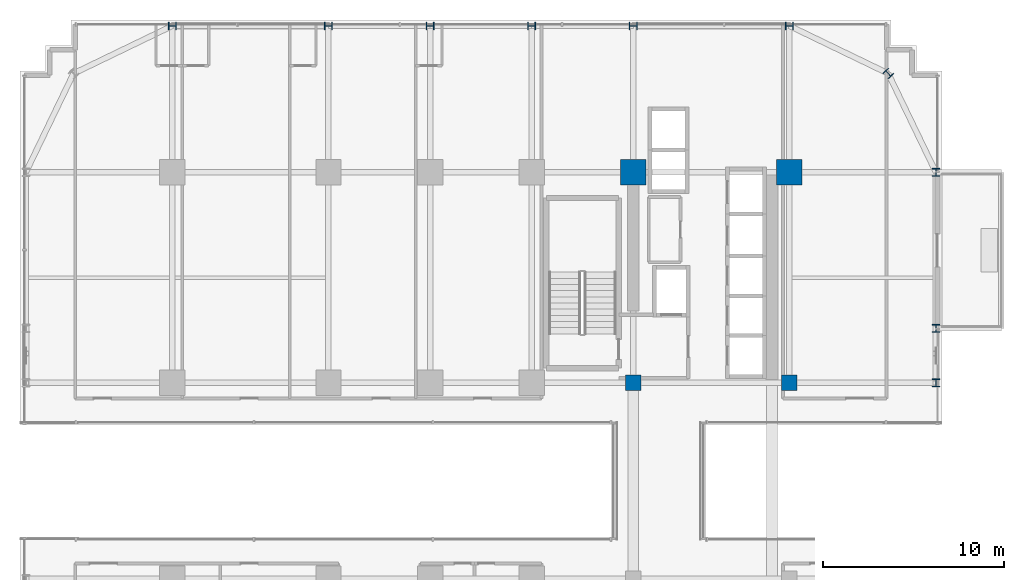
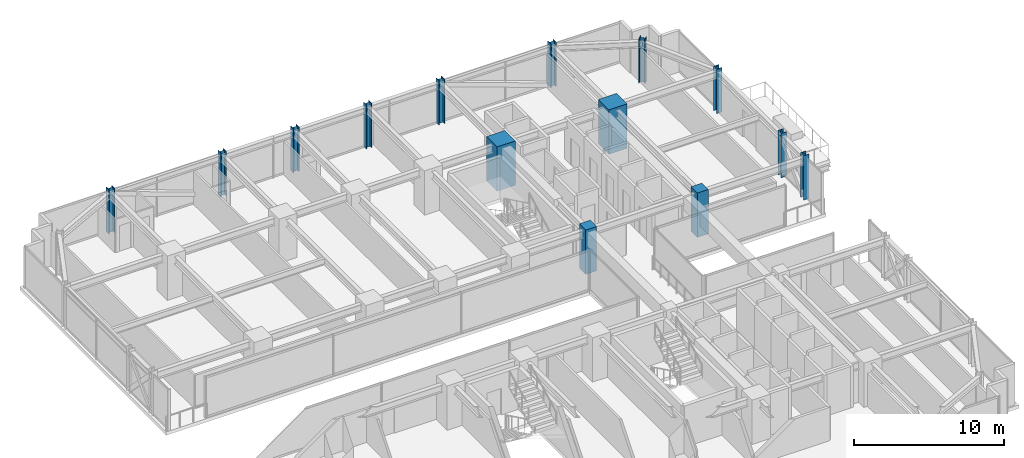
# One storey, part 2 of 43: 14 columns.
"""IFC4 building model written with IfcOpenShell, lengths in metres."""

from ifc_helpers import new_model, si_unit, direction, frame, origin, origin_2d, place, context, subcontext, project, spatial, rectangle, i_section, extrude, source, transform, mapped, material, material_profile, profile_set, type_object, element, save


model = new_model("IFC4")

# Units and contexts
model_context = context("Model", 3, precision=1e-05, world=origin(), true_north=direction((0.0, 1.0)))
body_context = subcontext(model_context, "Body", "Model", "MODEL_VIEW")
ifc_project = project(units=[si_unit("LENGTHUNIT", "METRE"), si_unit("AREAUNIT", "SQUARE_METRE"), si_unit("VOLUMEUNIT", "CUBIC_METRE"), si_unit("PLANEANGLEUNIT", "RADIAN"), si_unit("MASSUNIT", "GRAM", prefix="KILO")], contexts=[model_context])

# Site, building, storey
site_placement = place(None, origin())
site = spatial("IfcSite", under=ifc_project, at=site_placement, CompositionType="ELEMENT")
building_placement = place(site_placement, origin())
building = spatial("IfcBuilding", under=site, at=building_placement, Name="Nahalor Promenade Grand Hotel", CompositionType="ELEMENT")
storey_placement = place(building_placement, frame((0.0, 0.0, 57.949951171875)))
storey = spatial("IfcBuildingStorey", under=building, at=storey_placement, Name="L13", CompositionType="ELEMENT", Elevation=57.949951171875)

# Columns
ifc_material_1 = material(Name="Concrete B-70 (C60/75)", Category="concrete")
ifc_material_profile_1 = material_profile(ifc_material_1, rectangle(XDim=1.4, YDim=1.4, at=origin_2d()), Name="RC 1400x1400")
ifc_profile_set_1 = profile_set([ifc_material_profile_1], Name="Concrete B-70 (C60/75)")
column_type_1 = type_object("IfcColumnType", Name="Col-RC-1400", PredefinedType="COLUMN", material=ifc_profile_set_1)
shared_shape_1 = source(origin(), body_context, "Body", "SweptSolid", [
    extrude(rectangle(XDim=1.4, YDim=1.4, at=origin_2d()), origin(), (0.0, 0.0, 1.0), 3.60498046875),
])
for number, where, z_axis, x_axis, name in (
    (1, (8.39990234375, 17.0, 0.0), (0.0, 0.0, 1.0), (1.0, 0.0, 0.0), "COL-L13-I43"),
    (2, (17.0, 17.0, 0.0), (0.0, 0.0, 1.0), (1.0, 0.0, 0.0), "COL-L13-I53"),
):
    element("IfcColumn", number, at=place(storey_placement, frame(where, z_axis=z_axis, x_axis=x_axis)), inside=storey, type_object=column_type_1, Name=name, PredefinedType="COLUMN", context=body_context, shape_type="MappedRepresentation", body=[
        mapped(shared_shape_1, transform((0.0, 0.0, 0.0), scale=1.0)),
    ])
ifc_material_profile_2 = material_profile(ifc_material_1, rectangle(XDim=0.85, YDim=0.85, at=origin_2d()), Name="RC 850x850")
ifc_profile_set_2 = profile_set([ifc_material_profile_2], Name="Concrete B-70 (C60/75)")
column_type_2 = type_object("IfcColumnType", Name="Col-Pilaster-850", PredefinedType="PILASTER", material=ifc_profile_set_2)
shared_shape_2 = source(origin(), body_context, "Body", "SweptSolid", [
    extrude(rectangle(XDim=0.85, YDim=0.85, at=origin_2d()), origin(), (0.0, 0.0, 1.0), 3.60498046875),
])
for number, where, z_axis, x_axis, name in (
    (3, (8.39990234375, 5.39990234375, 0.0), (0.0, 0.0, 1.0), (1.0, 0.0, 0.0), "COL-L13-I42"),
    (4, (17.0, 5.39990234375, 0.0), (0.0, 0.0, 1.0), (1.0, 0.0, 0.0), "COL-L13-I52"),
):
    element("IfcColumn", number, at=place(storey_placement, frame(where, z_axis=z_axis, x_axis=x_axis)), inside=storey, type_object=column_type_2, Name=name, PredefinedType="PILASTER", context=body_context, shape_type="MappedRepresentation", body=[
        mapped(shared_shape_2, transform((0.0, 0.0, 0.0), scale=1.0)),
    ])
ifc_material_2 = material(Name="Steel S355J2", Category="steel")
ifc_material_profile_3 = material_profile(ifc_material_2, i_section(OverallWidth=0.412, OverallDepth=0.438, WebThickness=0.0226, FlangeThickness=0.0365, at=origin_2d()), Name="HD 400x463")
ifc_profile_set_3 = profile_set([ifc_material_profile_3], Name="Steel S355J2")
column_type_3 = type_object("IfcColumnType", Name="Col-Steel-HD463", PredefinedType="COLUMN", material=ifc_profile_set_3)
shared_shape_3 = source(origin(), body_context, "Body", "SweptSolid", [
    extrude(i_section(OverallWidth=0.412, OverallDepth=0.438, WebThickness=0.0226, FlangeThickness=0.0365, at=origin_2d()), origin(), (0.0, 0.0, 1.0), 3.60498046875),
])
for number, where, z_axis, x_axis, name in (
    (5, (25.080078125, 5.39990234375, 0.0), (0.0, 0.0, 1.0), (1.0, 0.0, 0.0), "COL-L13-PW-E3"),
    (6, (25.080078125, 8.39990234375, 0.0), (0.0, 0.0, 1.0), (1.0, 0.0, 0.0), "COL-L13-PW-E4"),
    (7, (25.080078125, 17.0, 0.0), (0.0, 0.0, 1.0), (1.0, 0.0, 0.0), "COL-L13-PW-E5"),
    (8, (-17.0, 25.080078125, 0.0), (0.0, 0.0, 1.0), (0.0, 1.0, 0.0), "COL-L13-PN-N0"),
    (9, (-8.39990234375, 25.080078125, 0.0), (0.0, 0.0, 1.0), (0.0, 1.0, 0.0), "COL-L13-PN-N1"),
    (10, (-2.800048828125, 25.080078125, 0.0), (0.0, 0.0, 1.0), (0.0, 1.0, 0.0), "COL-L13-PN-N2"),
    (11, (2.800048828125, 25.080078125, 0.0), (0.0, 0.0, 1.0), (0.0, 1.0, 0.0), "COL-L13-PN-N3"),
    (12, (8.39990234375, 25.080078125, 0.0), (0.0, 0.0, 1.0), (0.0, 1.0, 0.0), "COL-L13-PN-N4"),
    (13, (17.0, 25.080078125, 0.0), (0.0, 0.0, 1.0), (0.0, 1.0, 0.0), "COL-L13-PN-N5"),
    (14, (22.449951171875, 22.449951171875, 0.0), (0.0, 0.0, 1.0), (0.707106781187, 0.707106781187, 0.0), "COL-L13-CRN-NE"),
):
    element("IfcColumn", number, at=place(storey_placement, frame(where, z_axis=z_axis, x_axis=x_axis)), inside=storey, type_object=column_type_3, Name=name, PredefinedType="COLUMN", context=body_context, shape_type="MappedRepresentation", body=[
        mapped(shared_shape_3, transform((0.0, 0.0, 0.0), scale=1.0)),
    ])

save(model, "model.ifc")
